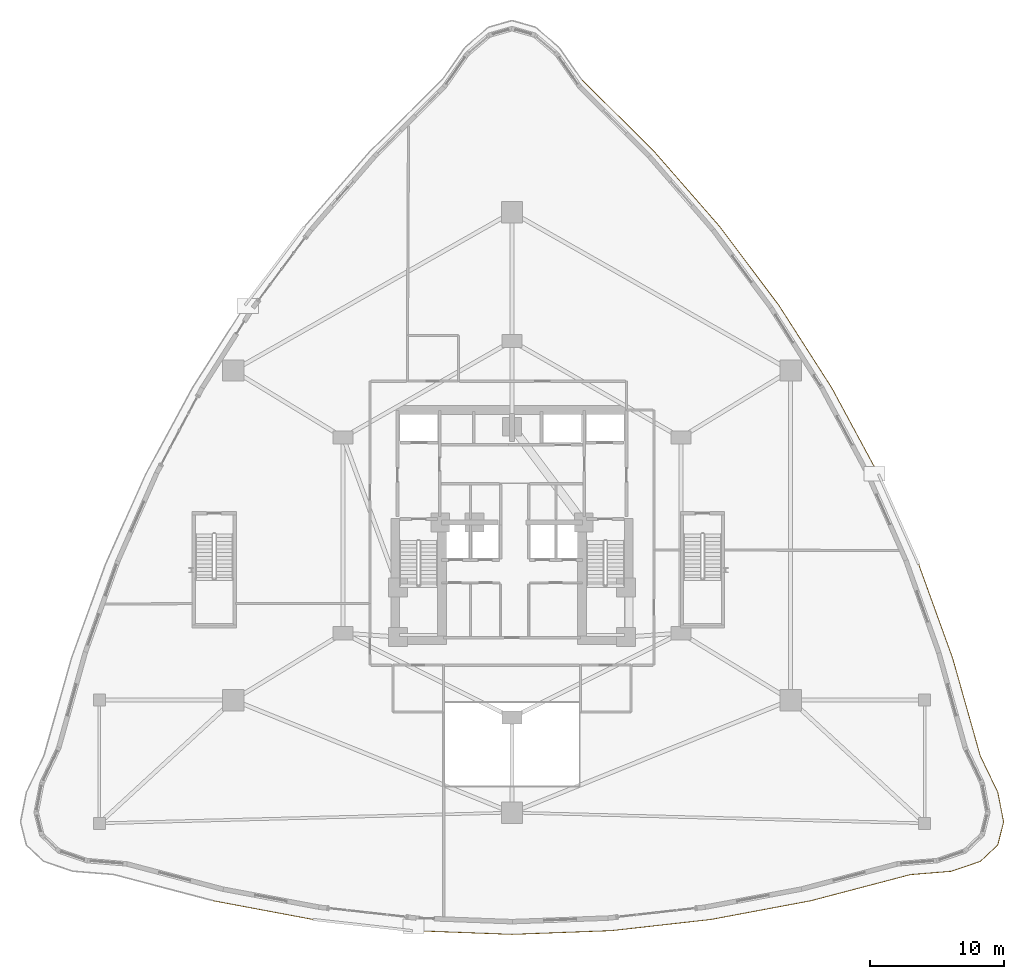
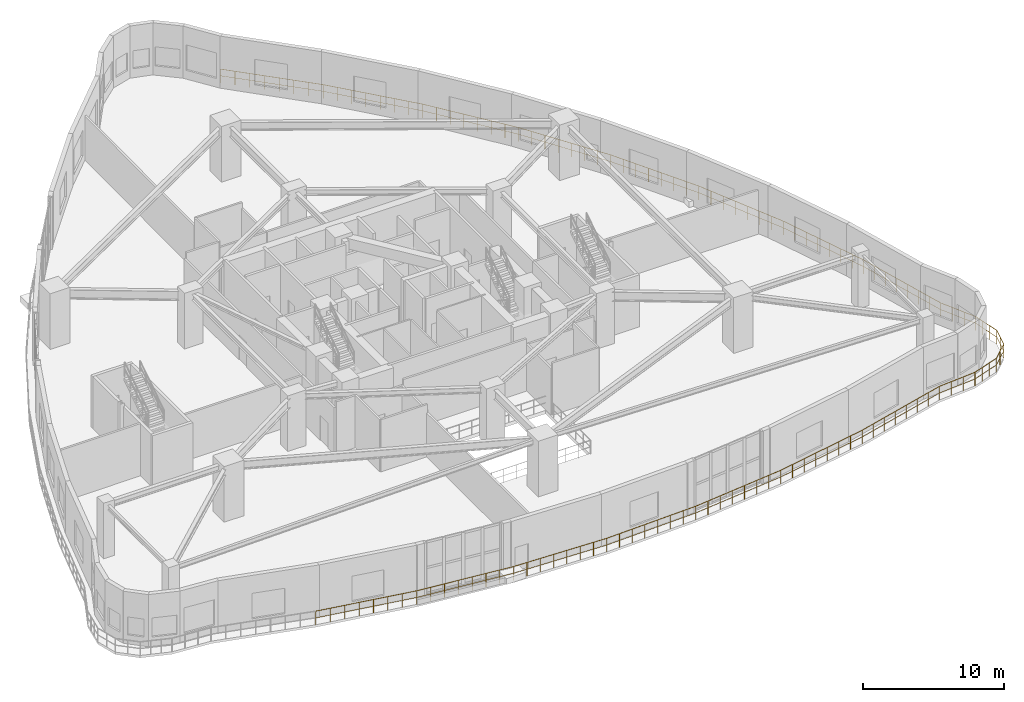
# One storey, part 22 of 25: 1 railing.
"""IFC4 building model written with IfcOpenShell, lengths in metres."""

import ifcopenshell
import ifcopenshell.guid

model = None  # the IFC model being written
_history = None  # IfcOwnerHistory: only IFC2X3 demands one
_inside = {}  # id of a spatial element -> (the spatial element, [elements in it])
_under = {}  # id of a project, library or spatial element -> (it, [spatial elements below it])
_declared = {}  # id of a project -> (the project, [libraries it declares])
_typed = {}  # id of a type object -> (the type object, [elements of that type])
_made_of = {}  # id of a material, layer set ... -> (it, [elements and type objects made of it])


def new_model(schema):
    """Start an empty IFC model of exactly this schema.

    Asked for "IFC4X3", IfcOpenShell would pick the latest addendum, in which some entities
    have other attributes; the version numbers below select the first issue.
    IFC2X3 requires an IfcOwnerHistory on every rooted entity: one is made here for all.
    """
    global model, _history
    if schema == "IFC4X3":
        model = ifcopenshell.file(schema_version=(4, 3, 0, 0))
    else:
        model = ifcopenshell.file(schema=schema)
    _inside.clear()
    _under.clear()
    _declared.clear()
    _typed.clear()
    _made_of.clear()
    _history = None
    if model.schema == "IFC2X3":
        org = make("IfcOrganization", Name="unknown")
        user = make(
            "IfcPersonAndOrganization",
            ThePerson=make("IfcPerson", FamilyName="unknown"),
            TheOrganization=org,
        )
        app = make(
            "IfcApplication",
            ApplicationDeveloper=org,
            Version="unknown",
            ApplicationFullName="unknown",
            ApplicationIdentifier="unknown",
        )
        _history = make(
            "IfcOwnerHistory",
            OwningUser=user,
            OwningApplication=app,
            ChangeAction="ADDED",
            CreationDate=0,
        )
    return model


def make(cls, **values):
    """One entity of the class cls with the attributes given. An attribute that is None is left unset."""
    return model.create_entity(
        cls, **{name: value for name, value in values.items() if value is not None}
    )


def rooted(cls, **values):
    """An entity with a GlobalId (a new one), such as an element, a storey or a relation."""
    return make(cls, GlobalId=ifcopenshell.guid.new(), OwnerHistory=_history, **values)


def si_unit(unit_type, name, prefix=None):
    """IfcSIUnit, for example si_unit("LENGTHUNIT", "METRE", prefix="MILLI")."""
    return make("IfcSIUnit", UnitType=unit_type, Prefix=prefix, Name=name)


def assignment(units):
    """IfcUnitAssignment: the units of a project."""
    return None if units is None else make("IfcUnitAssignment", Units=units)


def point(xyz):
    """IfcCartesianPoint."""
    return None if xyz is None else make("IfcCartesianPoint", Coordinates=xyz)


def direction(xyz):
    """IfcDirection."""
    return None if xyz is None else make("IfcDirection", DirectionRatios=xyz)


def frame(location, z_axis=None, x_axis=None):
    """IfcAxis2Placement3D, a coordinate frame: its origin and axes. An axis left out is left unset."""
    return make(
        "IfcAxis2Placement3D",
        Location=point(location),
        Axis=direction(z_axis),
        RefDirection=direction(x_axis),
    )


def frame_2d(location, x_axis=None):
    """IfcAxis2Placement2D, a coordinate frame in the plane: its origin and x axis."""
    return make(
        "IfcAxis2Placement2D", Location=point(location), RefDirection=direction(x_axis)
    )


def origin():
    """The frame at (0, 0, 0) with its axes left unset."""
    return frame((0.0, 0.0, 0.0))


def origin_2d():
    """The frame at (0, 0) in the plane with its x axis left unset."""
    return frame_2d((0.0, 0.0))


def place(relative_to, where):
    """IfcLocalPlacement: puts the frame where relative to a parent placement (None: the world)."""
    return make(
        "IfcLocalPlacement", PlacementRelTo=relative_to, RelativePlacement=where
    )


def context(
    kind, dimensions, precision=None, world=None, true_north=None, identifier=None
):
    """IfcGeometricRepresentationContext, for example the 3D "Model" context."""
    return make(
        "IfcGeometricRepresentationContext",
        ContextIdentifier=identifier,
        ContextType=kind,
        CoordinateSpaceDimension=dimensions,
        Precision=precision,
        WorldCoordinateSystem=world,
        TrueNorth=true_north,
    )


def subcontext(parent, identifier, kind, view, scale=None):
    """IfcGeometricRepresentationSubContext, for example "Body" below "Model"."""
    return make(
        "IfcGeometricRepresentationSubContext",
        ContextIdentifier=identifier,
        ContextType=kind,
        ParentContext=parent,
        TargetScale=scale,
        TargetView=view,
    )


def project(units=None, contexts=None):
    """IfcProject with its units and contexts."""
    return rooted(
        "IfcProject",
        Name="project",
        RepresentationContexts=contexts,
        UnitsInContext=assignment(units),
    )


def spatial(cls, under=None, at=None, **own):
    """A site, building, storey or space (cls), placed at a placement, below another one or the project."""
    s = rooted(cls, ObjectPlacement=at, **own)
    if under is not None:
        _under.setdefault(under.id(), (under, []))[1].append(s)
    return s


def profile(cls, at=None, kind="AREA", **sizes):
    """A parametric profile (cls). Its sizes go by their IFC names, for example OverallWidth=200.0."""
    return make(cls, ProfileType=kind, Position=at, **sizes)


def circle(**sizes):
    """IfcCircleProfileDef."""
    return profile("IfcCircleProfileDef", **sizes)


def extrude(swept, where, along, depth):
    """IfcExtrudedAreaSolid: the profile swept, set in the frame where, extruded along a direction by depth."""
    return make(
        "IfcExtrudedAreaSolid",
        SweptArea=swept,
        Position=where,
        ExtrudedDirection=direction(along),
        Depth=depth,
    )


def shape(context_of_items, identifier, shape_type, items):
    """IfcShapeRepresentation: the items that make up one representation, for example the "Body"."""
    return make(
        "IfcShapeRepresentation",
        ContextOfItems=context_of_items,
        RepresentationIdentifier=identifier,
        RepresentationType=shape_type,
        Items=items,
    )


def material(Name=None, Category=None):
    """IfcMaterial."""
    return make("IfcMaterial", Name=Name, Category=Category)


def made_of(thing, what):
    """Note that an element or type object is made of a material, layer set ...; save() writes the relation."""
    if what is not None:
        _made_of.setdefault(what.id(), (what, []))[1].append(thing)
    return thing


def type_object(cls, material=None, **own):
    """A type object (cls), such as IfcWallType, which elements share."""
    return made_of(rooted(cls, **own), material)


def element(
    cls,
    number,
    at=None,
    inside=None,
    cuts=None,
    type_object=None,
    material=None,
    context=None,
    identifier="Body",
    shape_type=None,
    held_by="IfcProductDefinitionShape",
    body=None,
    shapes=None,
    **own,
):
    """One element of the class cls, such as IfcWall. Its Tag is "e" and its number.

    at: its placement. inside: the storey or other place that contains it. cuts: it is an
    opening in that element (IfcRelVoidsElement). A single representation is given by context,
    identifier, shape_type and body (its items); several are given by shapes. held_by: the class
    of the entity that holds the representations. save() writes the other relations.
    """
    e = rooted(cls, Tag="e%d" % number, ObjectPlacement=at, **own)
    if body is not None:
        shapes = [shape(context, identifier, shape_type, body)]
    if shapes is not None:
        e.Representation = make(held_by, Representations=shapes)
    if inside is not None:
        _inside.setdefault(inside.id(), (inside, []))[1].append(e)
    if cuts is not None:
        rooted(
            "IfcRelVoidsElement", RelatingBuildingElement=cuts, RelatedOpeningElement=e
        )
    if type_object is not None:
        _typed.setdefault(type_object.id(), (type_object, []))[1].append(e)
    return made_of(e, material)


def aggregate(whole, parts):
    """IfcRelAggregates: a whole, such as a stair, and the parts it consists of."""
    return rooted("IfcRelAggregates", RelatingObject=whole, RelatedObjects=parts)


def save(model, path):
    """Write the relations noted so far, then the file.

    IfcRelAggregates (storeys below a building ...), IfcRelContainedInSpatialStructure (elements
    in a storey), IfcRelDefinesByType, IfcRelAssociatesMaterial and IfcRelDeclares: one each for
    every whole, place, type object, material and project.
    """
    for whole, parts in _under.values():
        aggregate(whole, parts)
    for where, things in _inside.values():
        rooted(
            "IfcRelContainedInSpatialStructure",
            RelatedElements=things,
            RelatingStructure=where,
        )
    for kind, things in _typed.values():
        rooted("IfcRelDefinesByType", RelatedObjects=things, RelatingType=kind)
    for what, things in _made_of.values():
        rooted("IfcRelAssociatesMaterial", RelatedObjects=things, RelatingMaterial=what)
    for by, libraries in _declared.values():
        rooted("IfcRelDeclares", RelatingContext=by, RelatedDefinitions=libraries)
    model.write(path)


model = new_model("IFC4")

# Units and contexts
model_context = context("Model", 3, precision=1e-05, world=origin(), true_north=direction((0.0, 1.0)))
body_context = subcontext(model_context, "Body", "Model", "MODEL_VIEW")
ifc_project = project(units=[si_unit("LENGTHUNIT", "METRE"), si_unit("AREAUNIT", "SQUARE_METRE"), si_unit("VOLUMEUNIT", "CUBIC_METRE"), si_unit("PLANEANGLEUNIT", "RADIAN"), si_unit("MASSUNIT", "GRAM", prefix="KILO")], contexts=[model_context])

# Site, building, storey
site_placement = place(None, origin())
site = spatial("IfcSite", under=ifc_project, at=site_placement, CompositionType="ELEMENT")
building_placement = place(site_placement, origin())
building = spatial("IfcBuilding", under=site, at=building_placement, Name="Miruveldt Soraemaru", CompositionType="ELEMENT")
storey_placement = place(building_placement, frame((0.0, 0.0, 4.800048828125)))
storey = spatial("IfcBuildingStorey", under=building, at=storey_placement, Name="L02", CompositionType="ELEMENT", Elevation=4.800048828125)

# Railing
ifc_material = material(Name="Anodised aluminium EN AW-6063 T6", Category="aluminium")
railing_type = type_object("IfcRailingType", Name="RAIL-GUARD-1200", PredefinedType="GUARDRAIL", material=ifc_material)
railing_placement = place(storey_placement, frame((21.697998046875, 15.8125, 0.0)))
element("IfcRailing", 1, at=railing_placement, inside=storey, type_object=railing_type, Name="L02 Planted Terrace Perimeter Guardrail (B)", PredefinedType="GUARDRAIL", context=body_context, shape_type="SweptSolid", body=[
    extrude(circle(Radius=0.02392578125, at=origin_2d()), frame((0.0, 0.0, 1.17578125), z_axis=(0.982874379353, -0.184276841764, 0.0), x_axis=(0.184276841764, 0.982874379353, 0.0)), (0.0, 0.0, 1.0), 7.563720703125),
    extrude(circle(Radius=0.01611328125, at=origin_2d()), frame((0.0, 0.0, 0.60009765625), z_axis=(0.982874379353, -0.184276841764, 0.0), x_axis=(0.184276841764, 0.982874379353, 0.0)), (0.0, 0.0, 1.0), 7.563720703125),
    extrude(circle(Radius=0.02392578125, at=origin_2d()), frame((7.43408203125, -1.393798828125, 1.17578125), z_axis=(0.993733174173, -0.111778256151, 0.0), x_axis=(0.111778256151, 0.993733174173, 0.0)), (0.0, 0.0, 1.0), 7.480712890625),
    extrude(circle(Radius=0.01611328125, at=origin_2d()), frame((7.43408203125, -1.393798828125, 0.60009765625), z_axis=(0.993733174173, -0.111778256151, 0.0), x_axis=(0.111778256151, 0.993733174173, 0.0)), (0.0, 0.0, 1.0), 7.480712890625),
    extrude(circle(Radius=0.02392578125, at=origin_2d()), frame((14.867919921875, -2.22998046875, 1.17578125), z_axis=(0.999297462084, -0.037477757034, 0.0), x_axis=(0.037477757034, 0.999297462084, 0.0)), (0.0, 0.0, 1.0), 7.439208984375),
    extrude(circle(Radius=0.01611328125, at=origin_2d()), frame((14.867919921875, -2.22998046875, 0.60009765625), z_axis=(0.999297462084, -0.037477757034, 0.0), x_axis=(0.037477757034, 0.999297462084, 0.0)), (0.0, 0.0, 1.0), 7.439208984375),
    extrude(circle(Radius=0.02392578125, at=origin_2d()), frame((22.302001953125, -2.5087890625, 1.17578125), z_axis=(0.999297462084, 0.037477757034, 0.0), x_axis=(-0.037477757034, 0.999297462084, 0.0)), (0.0, 0.0, 1.0), 7.439208984375),
    extrude(circle(Radius=0.01611328125, at=origin_2d()), frame((22.302001953125, -2.5087890625, 0.60009765625), z_axis=(0.999297462084, 0.037477757034, 0.0), x_axis=(-0.037477757034, 0.999297462084, 0.0)), (0.0, 0.0, 1.0), 7.439208984375),
    extrude(circle(Radius=0.02392578125, at=origin_2d()), frame((29.736083984375, -2.22998046875, 1.17578125), z_axis=(0.993733174173, 0.111778256151, 0.0), x_axis=(-0.111778256151, 0.993733174173, 0.0)), (0.0, 0.0, 1.0), 7.480712890625),
    extrude(circle(Radius=0.01611328125, at=origin_2d()), frame((29.736083984375, -2.22998046875, 0.60009765625), z_axis=(0.993733174173, 0.111778256151, 0.0), x_axis=(-0.111778256151, 0.993733174173, 0.0)), (0.0, 0.0, 1.0), 7.480712890625),
    extrude(circle(Radius=0.02392578125, at=origin_2d()), frame((37.169921875, -1.393798828125, 1.17578125), z_axis=(0.982874379353, 0.184276841764, 0.0), x_axis=(-0.184276841764, 0.982874379353, 0.0)), (0.0, 0.0, 1.0), 7.563720703125),
    extrude(circle(Radius=0.01611328125, at=origin_2d()), frame((37.169921875, -1.393798828125, 0.60009765625), z_axis=(0.982874379353, 0.184276841764, 0.0), x_axis=(-0.184276841764, 0.982874379353, 0.0)), (0.0, 0.0, 1.0), 7.563720703125),
    extrude(circle(Radius=0.02392578125, at=origin_2d()), frame((44.60400390625, 0.0, 1.17578125), z_axis=(0.967229892743, 0.253902214611, 0.0), x_axis=(-0.253902214611, 0.967229892743, 0.0)), (0.0, 0.0, 1.0), 7.685791015625),
    extrude(circle(Radius=0.01611328125, at=origin_2d()), frame((44.60400390625, 0.0, 0.60009765625), z_axis=(0.967229892743, 0.253902214611, 0.0), x_axis=(-0.253902214611, 0.967229892743, 0.0)), (0.0, 0.0, 1.0), 7.685791015625),
    extrude(circle(Radius=0.02392578125, at=origin_2d()), frame((52.037841796875, 1.951416015625, 1.17578125), z_axis=(0.996748663663, 0.080573578083, 0.0), x_axis=(-0.080573578083, 0.996748663663, 0.0)), (0.0, 0.0, 1.0), 3.057373046875),
    extrude(circle(Radius=0.01611328125, at=origin_2d()), frame((52.037841796875, 1.951416015625, 0.60009765625), z_axis=(0.996748663663, 0.080573578083, 0.0), x_axis=(-0.080573578083, 0.996748663663, 0.0)), (0.0, 0.0, 1.0), 3.057373046875),
    extrude(circle(Radius=0.02392578125, at=origin_2d()), frame((55.085205078125, 2.19775390625, 1.17578125), z_axis=(0.946905385305, 0.32151235012, 0.0), x_axis=(-0.32151235012, 0.946905385305, 0.0)), (0.0, 0.0, 1.0), 2.298583984375),
    extrude(circle(Radius=0.01611328125, at=origin_2d()), frame((55.085205078125, 2.19775390625, 0.60009765625), z_axis=(0.946905385305, 0.32151235012, 0.0), x_axis=(-0.32151235012, 0.946905385305, 0.0)), (0.0, 0.0, 1.0), 2.298583984375),
    extrude(circle(Radius=0.02392578125, at=origin_2d()), frame((57.26171875, 2.936767578125, 1.17578125), z_axis=(0.727544791222, 0.686060184507, 0.0), x_axis=(-0.686060184507, 0.727544791222, 0.0)), (0.0, 0.0, 1.0), 1.794921875),
    extrude(circle(Radius=0.01611328125, at=origin_2d()), frame((57.26171875, 2.936767578125, 0.60009765625), z_axis=(0.727544791222, 0.686060184507, 0.0), x_axis=(-0.686060184507, 0.727544791222, 0.0)), (0.0, 0.0, 1.0), 1.794921875),
    extrude(circle(Radius=0.02392578125, at=origin_2d()), frame((58.567626953125, 4.168212890625, 1.17578125), z_axis=(0.244796289149, 0.969574533916, 0.0), x_axis=(-0.969574533916, 0.244796289149, 0.0)), (0.0, 0.0, 1.0), 1.7783203125),
    extrude(circle(Radius=0.01611328125, at=origin_2d()), frame((58.567626953125, 4.168212890625, 0.60009765625), z_axis=(0.244796289149, 0.969574533916, 0.0), x_axis=(-0.969574533916, 0.244796289149, 0.0)), (0.0, 0.0, 1.0), 1.7783203125),
    extrude(circle(Radius=0.02392578125, at=origin_2d()), frame((59.0029296875, 5.892333984375, 1.17578125), z_axis=(-0.192685844525, 0.981260498196, 0.0), x_axis=(-0.981260498196, -0.192685844525, 0.0)), (0.0, 0.0, 1.0), 2.259033203125),
    extrude(circle(Radius=0.01611328125, at=origin_2d()), frame((59.0029296875, 5.892333984375, 0.60009765625), z_axis=(-0.192685844525, 0.981260498196, 0.0), x_axis=(-0.981260498196, -0.192685844525, 0.0)), (0.0, 0.0, 1.0), 2.259033203125),
    extrude(circle(Radius=0.02392578125, at=origin_2d()), frame((58.567626953125, 8.109130859375, 1.17578125), z_axis=(-0.434179222173, 0.900826511063, 0.0), x_axis=(-0.900826511063, -0.434179222173, 0.0)), (0.0, 0.0, 1.0), 3.0078125),
    extrude(circle(Radius=0.01611328125, at=origin_2d()), frame((58.567626953125, 8.109130859375, 0.60009765625), z_axis=(-0.434179222173, 0.900826511063, 0.0), x_axis=(-0.900826511063, -0.434179222173, 0.0)), (0.0, 0.0, 1.0), 3.0078125),
    extrude(circle(Radius=0.02392578125, at=origin_2d()), frame((57.26171875, 10.818603515625, 1.17578125), z_axis=(-0.272203038709, 0.962239837939, 0.0), x_axis=(-0.962239837939, -0.272203038709, 0.0)), (0.0, 0.0, 1.0), 7.57080078125),
    extrude(circle(Radius=0.01611328125, at=origin_2d()), frame((57.26171875, 10.818603515625, 0.60009765625), z_axis=(-0.272203038709, 0.962239837939, 0.0), x_axis=(-0.962239837939, -0.272203038709, 0.0)), (0.0, 0.0, 1.0), 7.57080078125),
    extrude(circle(Radius=0.02392578125, at=origin_2d()), frame((55.200927734375, 18.103515625, 1.17578125), z_axis=(-0.340113885454, 0.940384253867, 0.0), x_axis=(-0.940384253867, -0.340113885454, 0.0)), (0.0, 0.0, 1.0), 7.4501953125),
    extrude(circle(Radius=0.01611328125, at=origin_2d()), frame((55.200927734375, 18.103515625, 0.60009765625), z_axis=(-0.340113885454, 0.940384253867, 0.0), x_axis=(-0.940384253867, -0.340113885454, 0.0)), (0.0, 0.0, 1.0), 7.4501953125),
    extrude(circle(Radius=0.02392578125, at=origin_2d()), frame((52.6669921875, 25.109619140625, 1.17578125), z_axis=(-0.408098706283, 0.912937810549, 0.0), x_axis=(-0.912937810549, -0.408098706283, 0.0)), (0.0, 0.0, 1.0), 7.369140625),
    extrude(circle(Radius=0.01611328125, at=origin_2d()), frame((52.6669921875, 25.109619140625, 0.60009765625), z_axis=(-0.408098706283, 0.912937810549, 0.0), x_axis=(-0.912937810549, -0.408098706283, 0.0)), (0.0, 0.0, 1.0), 7.369140625),
    extrude(circle(Radius=0.02392578125, at=origin_2d()), frame((49.65966796875, 31.837158203125, 1.17578125), z_axis=(-0.47496782255, 0.880003163371, 0.0), x_axis=(-0.880003163371, -0.47496782255, 0.0)), (0.0, 0.0, 1.0), 7.327880859375),
    extrude(circle(Radius=0.01611328125, at=origin_2d()), frame((49.65966796875, 31.837158203125, 0.60009765625), z_axis=(-0.47496782255, 0.880003163371, 0.0), x_axis=(-0.880003163371, -0.47496782255, 0.0)), (0.0, 0.0, 1.0), 7.327880859375),
    extrude(circle(Radius=0.02392578125, at=origin_2d()), frame((46.17919921875, 38.28564453125, 1.17578125), z_axis=(-0.539500808327, 0.841985081705, 0.0), x_axis=(-0.841985081705, -0.539500808327, 0.0)), (0.0, 0.0, 1.0), 7.327880859375),
    extrude(circle(Radius=0.01611328125, at=origin_2d()), frame((46.17919921875, 38.28564453125, 0.60009765625), z_axis=(-0.539500808327, 0.841985081705, 0.0), x_axis=(-0.841985081705, -0.539500808327, 0.0)), (0.0, 0.0, 1.0), 7.327880859375),
    extrude(circle(Radius=0.02392578125, at=origin_2d()), frame((42.225830078125, 44.45556640625, 1.17578125), z_axis=(-0.600731281621, 0.799451016187, 0.0), x_axis=(-0.799451016187, -0.600731281621, 0.0)), (0.0, 0.0, 1.0), 7.368896484375),
    extrude(circle(Radius=0.01611328125, at=origin_2d()), frame((42.225830078125, 44.45556640625, 0.60009765625), z_axis=(-0.600731281621, 0.799451016187, 0.0), x_axis=(-0.799451016187, -0.600731281621, 0.0)), (0.0, 0.0, 1.0), 7.368896484375),
    extrude(circle(Radius=0.02392578125, at=origin_2d()), frame((37.799072265625, 50.3466796875, 1.17578125), z_axis=(-0.657696905506, 0.753282669711, 0.0), x_axis=(-0.753282669711, -0.657696905506, 0.0)), (0.0, 0.0, 1.0), 7.450439453125),
    extrude(circle(Radius=0.01611328125, at=origin_2d()), frame((37.799072265625, 50.3466796875, 0.60009765625), z_axis=(-0.657696905506, 0.753282669711, 0.0), x_axis=(-0.753282669711, -0.657696905506, 0.0)), (0.0, 0.0, 1.0), 7.450439453125),
    extrude(circle(Radius=0.02392578125, at=origin_2d()), frame((32.89892578125, 55.958984375, 1.17578125), z_axis=(-0.709700690294, 0.704503321636, 0.0), x_axis=(-0.704503321636, -0.709700690294, 0.0)), (0.0, 0.0, 1.0), 7.515869140625),
    extrude(circle(Radius=0.01611328125, at=origin_2d()), frame((32.89892578125, 55.958984375, 0.60009765625), z_axis=(-0.709700690294, 0.704503321636, 0.0), x_axis=(-0.704503321636, -0.709700690294, 0.0)), (0.0, 0.0, 1.0), 7.515869140625),
    extrude(circle(Radius=0.02099609375, at=origin_2d()), origin(), (0.0, 0.0, 1.0), 1.15185546875),
    extrude(circle(Radius=0.02099609375, at=origin_2d()), frame((1.06201171875, -0.19921875, 0.0)), (0.0, 0.0, 1.0), 1.15185546875),
    extrude(circle(Radius=0.02099609375, at=origin_2d()), frame((2.1240234375, -0.398193359375, 0.0)), (0.0, 0.0, 1.0), 1.15185546875),
    extrude(circle(Radius=0.02099609375, at=origin_2d()), frame((3.18603515625, -0.597412109375, 0.0)), (0.0, 0.0, 1.0), 1.15185546875),
    extrude(circle(Radius=0.02099609375, at=origin_2d()), frame((4.248046875, -0.79638671875, 0.0)), (0.0, 0.0, 1.0), 1.15185546875),
    extrude(circle(Radius=0.02099609375, at=origin_2d()), frame((5.31005859375, -0.99560546875, 0.0)), (0.0, 0.0, 1.0), 1.15185546875),
    extrude(circle(Radius=0.02099609375, at=origin_2d()), frame((6.3720703125, -1.194580078125, 0.0)), (0.0, 0.0, 1.0), 1.15185546875),
    extrude(circle(Radius=0.02099609375, at=origin_2d()), frame((7.43408203125, -1.393798828125, 0.0)), (0.0, 0.0, 1.0), 1.15185546875),
    extrude(circle(Radius=0.02099609375, at=origin_2d()), frame((8.49609375, -1.51318359375, 0.0)), (0.0, 0.0, 1.0), 1.15185546875),
    extrude(circle(Radius=0.02099609375, at=origin_2d()), frame((9.55810546875, -1.6328125, 0.0)), (0.0, 0.0, 1.0), 1.15185546875),
    extrude(circle(Radius=0.02099609375, at=origin_2d()), frame((10.6201171875, -1.752197265625, 0.0)), (0.0, 0.0, 1.0), 1.15185546875),
    extrude(circle(Radius=0.02099609375, at=origin_2d()), frame((11.681884765625, -1.87158203125, 0.0)), (0.0, 0.0, 1.0), 1.15185546875),
    extrude(circle(Radius=0.02099609375, at=origin_2d()), frame((12.743896484375, -1.990966796875, 0.0)), (0.0, 0.0, 1.0), 1.15185546875),
    extrude(circle(Radius=0.02099609375, at=origin_2d()), frame((13.805908203125, -2.110595703125, 0.0)), (0.0, 0.0, 1.0), 1.15185546875),
    extrude(circle(Radius=0.02099609375, at=origin_2d()), frame((14.867919921875, -2.22998046875, 0.0)), (0.0, 0.0, 1.0), 1.15185546875),
    extrude(circle(Radius=0.02099609375, at=origin_2d()), frame((15.929931640625, -2.269775390625, 0.0)), (0.0, 0.0, 1.0), 1.15185546875),
    extrude(circle(Radius=0.02099609375, at=origin_2d()), frame((16.991943359375, -2.3095703125, 0.0)), (0.0, 0.0, 1.0), 1.15185546875),
    extrude(circle(Radius=0.02099609375, at=origin_2d()), frame((18.053955078125, -2.349365234375, 0.0)), (0.0, 0.0, 1.0), 1.15185546875),
    extrude(circle(Radius=0.02099609375, at=origin_2d()), frame((19.115966796875, -2.389404296875, 0.0)), (0.0, 0.0, 1.0), 1.15185546875),
    extrude(circle(Radius=0.02099609375, at=origin_2d()), frame((20.177978515625, -2.42919921875, 0.0)), (0.0, 0.0, 1.0), 1.15185546875),
    extrude(circle(Radius=0.02099609375, at=origin_2d()), frame((21.239990234375, -2.468994140625, 0.0)), (0.0, 0.0, 1.0), 1.15185546875),
    extrude(circle(Radius=0.02099609375, at=origin_2d()), frame((22.302001953125, -2.5087890625, 0.0)), (0.0, 0.0, 1.0), 1.15185546875),
    extrude(circle(Radius=0.02099609375, at=origin_2d()), frame((23.364013671875, -2.468994140625, 0.0)), (0.0, 0.0, 1.0), 1.15185546875),
    extrude(circle(Radius=0.02099609375, at=origin_2d()), frame((24.426025390625, -2.42919921875, 0.0)), (0.0, 0.0, 1.0), 1.15185546875),
    extrude(circle(Radius=0.02099609375, at=origin_2d()), frame((25.488037109375, -2.389404296875, 0.0)), (0.0, 0.0, 1.0), 1.15185546875),
    extrude(circle(Radius=0.02099609375, at=origin_2d()), frame((26.550048828125, -2.349365234375, 0.0)), (0.0, 0.0, 1.0), 1.15185546875),
    extrude(circle(Radius=0.02099609375, at=origin_2d()), frame((27.612060546875, -2.3095703125, 0.0)), (0.0, 0.0, 1.0), 1.15185546875),
    extrude(circle(Radius=0.02099609375, at=origin_2d()), frame((28.674072265625, -2.269775390625, 0.0)), (0.0, 0.0, 1.0), 1.15185546875),
    extrude(circle(Radius=0.02099609375, at=origin_2d()), frame((29.736083984375, -2.22998046875, 0.0)), (0.0, 0.0, 1.0), 1.15185546875),
    extrude(circle(Radius=0.02099609375, at=origin_2d()), frame((30.798095703125, -2.110595703125, 0.0)), (0.0, 0.0, 1.0), 1.15185546875),
    extrude(circle(Radius=0.02099609375, at=origin_2d()), frame((31.860107421875, -1.990966796875, 0.0)), (0.0, 0.0, 1.0), 1.15185546875),
    extrude(circle(Radius=0.02099609375, at=origin_2d()), frame((32.922119140625, -1.87158203125, 0.0)), (0.0, 0.0, 1.0), 1.15185546875),
    extrude(circle(Radius=0.02099609375, at=origin_2d()), frame((33.98388671875, -1.752197265625, 0.0)), (0.0, 0.0, 1.0), 1.15185546875),
    extrude(circle(Radius=0.02099609375, at=origin_2d()), frame((35.0458984375, -1.6328125, 0.0)), (0.0, 0.0, 1.0), 1.15185546875),
    extrude(circle(Radius=0.02099609375, at=origin_2d()), frame((36.10791015625, -1.51318359375, 0.0)), (0.0, 0.0, 1.0), 1.15185546875),
    extrude(circle(Radius=0.02099609375, at=origin_2d()), frame((37.169921875, -1.393798828125, 0.0)), (0.0, 0.0, 1.0), 1.15185546875),
    extrude(circle(Radius=0.02099609375, at=origin_2d()), frame((38.23193359375, -1.194580078125, 0.0)), (0.0, 0.0, 1.0), 1.15185546875),
    extrude(circle(Radius=0.02099609375, at=origin_2d()), frame((39.2939453125, -0.99560546875, 0.0)), (0.0, 0.0, 1.0), 1.15185546875),
    extrude(circle(Radius=0.02099609375, at=origin_2d()), frame((40.35595703125, -0.79638671875, 0.0)), (0.0, 0.0, 1.0), 1.15185546875),
    extrude(circle(Radius=0.02099609375, at=origin_2d()), frame((41.41796875, -0.597412109375, 0.0)), (0.0, 0.0, 1.0), 1.15185546875),
    extrude(circle(Radius=0.02099609375, at=origin_2d()), frame((42.47998046875, -0.398193359375, 0.0)), (0.0, 0.0, 1.0), 1.15185546875),
    extrude(circle(Radius=0.02099609375, at=origin_2d()), frame((43.5419921875, -0.19921875, 0.0)), (0.0, 0.0, 1.0), 1.15185546875),
    extrude(circle(Radius=0.02099609375, at=origin_2d()), frame((44.60400390625, 0.0, 0.0)), (0.0, 0.0, 1.0), 1.15185546875),
    extrude(circle(Radius=0.02099609375, at=origin_2d()), frame((45.666015625, 0.27880859375, 0.0)), (0.0, 0.0, 1.0), 1.15185546875),
    extrude(circle(Radius=0.02099609375, at=origin_2d()), frame((46.72802734375, 0.5576171875, 0.0)), (0.0, 0.0, 1.0), 1.15185546875),
    extrude(circle(Radius=0.02099609375, at=origin_2d()), frame((47.7900390625, 0.83642578125, 0.0)), (0.0, 0.0, 1.0), 1.15185546875),
    extrude(circle(Radius=0.02099609375, at=origin_2d()), frame((48.851806640625, 1.114990234375, 0.0)), (0.0, 0.0, 1.0), 1.15185546875),
    extrude(circle(Radius=0.02099609375, at=origin_2d()), frame((49.913818359375, 1.393798828125, 0.0)), (0.0, 0.0, 1.0), 1.15185546875),
    extrude(circle(Radius=0.02099609375, at=origin_2d()), frame((50.975830078125, 1.672607421875, 0.0)), (0.0, 0.0, 1.0), 1.15185546875),
    extrude(circle(Radius=0.02099609375, at=origin_2d()), frame((52.037841796875, 1.951416015625, 0.0)), (0.0, 0.0, 1.0), 1.15185546875),
    extrude(circle(Radius=0.02099609375, at=origin_2d()), frame((53.0537109375, 2.033447265625, 0.0)), (0.0, 0.0, 1.0), 1.15185546875),
    extrude(circle(Radius=0.02099609375, at=origin_2d()), frame((54.0693359375, 2.11572265625, 0.0)), (0.0, 0.0, 1.0), 1.15185546875),
    extrude(circle(Radius=0.02099609375, at=origin_2d()), frame((55.085205078125, 2.19775390625, 0.0)), (0.0, 0.0, 1.0), 1.15185546875),
    extrude(circle(Radius=0.02099609375, at=origin_2d()), frame((55.810791015625, 2.444091796875, 0.0)), (0.0, 0.0, 1.0), 1.15185546875),
    extrude(circle(Radius=0.02099609375, at=origin_2d()), frame((56.5361328125, 2.6904296875, 0.0)), (0.0, 0.0, 1.0), 1.15185546875),
    extrude(circle(Radius=0.02099609375, at=origin_2d()), frame((57.26171875, 2.936767578125, 0.0)), (0.0, 0.0, 1.0), 1.15185546875),
    extrude(circle(Radius=0.02099609375, at=origin_2d()), frame((57.91455078125, 3.552490234375, 0.0)), (0.0, 0.0, 1.0), 1.15185546875),
    extrude(circle(Radius=0.02099609375, at=origin_2d()), frame((58.567626953125, 4.168212890625, 0.0)), (0.0, 0.0, 1.0), 1.15185546875),
    extrude(circle(Radius=0.02099609375, at=origin_2d()), frame((58.78515625, 5.0302734375, 0.0)), (0.0, 0.0, 1.0), 1.15185546875),
    extrude(circle(Radius=0.02099609375, at=origin_2d()), frame((59.0029296875, 5.892333984375, 0.0)), (0.0, 0.0, 1.0), 1.15185546875),
    extrude(circle(Radius=0.02099609375, at=origin_2d()), frame((58.85791015625, 6.63134765625, 0.0)), (0.0, 0.0, 1.0), 1.15185546875),
    extrude(circle(Radius=0.02099609375, at=origin_2d()), frame((58.712646484375, 7.3701171875, 0.0)), (0.0, 0.0, 1.0), 1.15185546875),
    extrude(circle(Radius=0.02099609375, at=origin_2d()), frame((58.567626953125, 8.109130859375, 0.0)), (0.0, 0.0, 1.0), 1.15185546875),
    extrude(circle(Radius=0.02099609375, at=origin_2d()), frame((58.13232421875, 9.01220703125, 0.0)), (0.0, 0.0, 1.0), 1.15185546875),
    extrude(circle(Radius=0.02099609375, at=origin_2d()), frame((57.697021484375, 9.91552734375, 0.0)), (0.0, 0.0, 1.0), 1.15185546875),
    extrude(circle(Radius=0.02099609375, at=origin_2d()), frame((57.26171875, 10.818603515625, 0.0)), (0.0, 0.0, 1.0), 1.15185546875),
    extrude(circle(Radius=0.02099609375, at=origin_2d()), frame((56.96728515625, 11.859375, 0.0)), (0.0, 0.0, 1.0), 1.15185546875),
    extrude(circle(Radius=0.02099609375, at=origin_2d()), frame((56.6728515625, 12.89990234375, 0.0)), (0.0, 0.0, 1.0), 1.15185546875),
    extrude(circle(Radius=0.02099609375, at=origin_2d()), frame((56.37841796875, 13.940673828125, 0.0)), (0.0, 0.0, 1.0), 1.15185546875),
    extrude(circle(Radius=0.02099609375, at=origin_2d()), frame((56.084228515625, 14.9814453125, 0.0)), (0.0, 0.0, 1.0), 1.15185546875),
    extrude(circle(Radius=0.02099609375, at=origin_2d()), frame((55.789794921875, 16.022216796875, 0.0)), (0.0, 0.0, 1.0), 1.15185546875),
    extrude(circle(Radius=0.02099609375, at=origin_2d()), frame((55.495361328125, 17.062744140625, 0.0)), (0.0, 0.0, 1.0), 1.15185546875),
    extrude(circle(Radius=0.02099609375, at=origin_2d()), frame((55.200927734375, 18.103515625, 0.0)), (0.0, 0.0, 1.0), 1.15185546875),
    extrude(circle(Radius=0.02099609375, at=origin_2d()), frame((54.8388671875, 19.1044921875, 0.0)), (0.0, 0.0, 1.0), 1.15185546875),
    extrude(circle(Radius=0.02099609375, at=origin_2d()), frame((54.47705078125, 20.105224609375, 0.0)), (0.0, 0.0, 1.0), 1.15185546875),
    extrude(circle(Radius=0.02099609375, at=origin_2d()), frame((54.114990234375, 21.106201171875, 0.0)), (0.0, 0.0, 1.0), 1.15185546875),
    extrude(circle(Radius=0.02099609375, at=origin_2d()), frame((53.7529296875, 22.10693359375, 0.0)), (0.0, 0.0, 1.0), 1.15185546875),
    extrude(circle(Radius=0.02099609375, at=origin_2d()), frame((53.390869140625, 23.10791015625, 0.0)), (0.0, 0.0, 1.0), 1.15185546875),
    extrude(circle(Radius=0.02099609375, at=origin_2d()), frame((53.029052734375, 24.108642578125, 0.0)), (0.0, 0.0, 1.0), 1.15185546875),
    extrude(circle(Radius=0.02099609375, at=origin_2d()), frame((52.6669921875, 25.109619140625, 0.0)), (0.0, 0.0, 1.0), 1.15185546875),
    extrude(circle(Radius=0.02099609375, at=origin_2d()), frame((52.2373046875, 26.07080078125, 0.0)), (0.0, 0.0, 1.0), 1.15185546875),
    extrude(circle(Radius=0.02099609375, at=origin_2d()), frame((51.807861328125, 27.03173828125, 0.0)), (0.0, 0.0, 1.0), 1.15185546875),
    extrude(circle(Radius=0.02099609375, at=origin_2d()), frame((51.378173828125, 27.992919921875, 0.0)), (0.0, 0.0, 1.0), 1.15185546875),
    extrude(circle(Radius=0.02099609375, at=origin_2d()), frame((50.948486328125, 28.953857421875, 0.0)), (0.0, 0.0, 1.0), 1.15185546875),
    extrude(circle(Radius=0.02099609375, at=origin_2d()), frame((50.518798828125, 29.9150390625, 0.0)), (0.0, 0.0, 1.0), 1.15185546875),
    extrude(circle(Radius=0.02099609375, at=origin_2d()), frame((50.08935546875, 30.8759765625, 0.0)), (0.0, 0.0, 1.0), 1.15185546875),
    extrude(circle(Radius=0.02099609375, at=origin_2d()), frame((49.65966796875, 31.837158203125, 0.0)), (0.0, 0.0, 1.0), 1.15185546875),
    extrude(circle(Radius=0.02099609375, at=origin_2d()), frame((49.162353515625, 32.75830078125, 0.0)), (0.0, 0.0, 1.0), 1.15185546875),
    extrude(circle(Radius=0.02099609375, at=origin_2d()), frame((48.665283203125, 33.6796875, 0.0)), (0.0, 0.0, 1.0), 1.15185546875),
    extrude(circle(Radius=0.02099609375, at=origin_2d()), frame((48.16796875, 34.600830078125, 0.0)), (0.0, 0.0, 1.0), 1.15185546875),
    extrude(circle(Radius=0.02099609375, at=origin_2d()), frame((47.6708984375, 35.52197265625, 0.0)), (0.0, 0.0, 1.0), 1.15185546875),
    extrude(circle(Radius=0.02099609375, at=origin_2d()), frame((47.173583984375, 36.443115234375, 0.0)), (0.0, 0.0, 1.0), 1.15185546875),
    extrude(circle(Radius=0.02099609375, at=origin_2d()), frame((46.676513671875, 37.364501953125, 0.0)), (0.0, 0.0, 1.0), 1.15185546875),
    extrude(circle(Radius=0.02099609375, at=origin_2d()), frame((46.17919921875, 38.28564453125, 0.0)), (0.0, 0.0, 1.0), 1.15185546875),
    extrude(circle(Radius=0.02099609375, at=origin_2d()), frame((45.614501953125, 39.1669921875, 0.0)), (0.0, 0.0, 1.0), 1.15185546875),
    extrude(circle(Radius=0.02099609375, at=origin_2d()), frame((45.049560546875, 40.048583984375, 0.0)), (0.0, 0.0, 1.0), 1.15185546875),
    extrude(circle(Radius=0.02099609375, at=origin_2d()), frame((44.48486328125, 40.929931640625, 0.0)), (0.0, 0.0, 1.0), 1.15185546875),
    extrude(circle(Radius=0.02099609375, at=origin_2d()), frame((43.920166015625, 41.811279296875, 0.0)), (0.0, 0.0, 1.0), 1.15185546875),
    extrude(circle(Radius=0.02099609375, at=origin_2d()), frame((43.35546875, 42.692626953125, 0.0)), (0.0, 0.0, 1.0), 1.15185546875),
    extrude(circle(Radius=0.02099609375, at=origin_2d()), frame((42.79052734375, 43.57421875, 0.0)), (0.0, 0.0, 1.0), 1.15185546875),
    extrude(circle(Radius=0.02099609375, at=origin_2d()), frame((42.225830078125, 44.45556640625, 0.0)), (0.0, 0.0, 1.0), 1.15185546875),
    extrude(circle(Radius=0.02099609375, at=origin_2d()), frame((41.593505859375, 45.297119140625, 0.0)), (0.0, 0.0, 1.0), 1.15185546875),
    extrude(circle(Radius=0.02099609375, at=origin_2d()), frame((40.9609375, 46.138671875, 0.0)), (0.0, 0.0, 1.0), 1.15185546875),
    extrude(circle(Radius=0.02099609375, at=origin_2d()), frame((40.32861328125, 46.980224609375, 0.0)), (0.0, 0.0, 1.0), 1.15185546875),
    extrude(circle(Radius=0.02099609375, at=origin_2d()), frame((39.6962890625, 47.822021484375, 0.0)), (0.0, 0.0, 1.0), 1.15185546875),
    extrude(circle(Radius=0.02099609375, at=origin_2d()), frame((39.06396484375, 48.66357421875, 0.0)), (0.0, 0.0, 1.0), 1.15185546875),
    extrude(circle(Radius=0.02099609375, at=origin_2d()), frame((38.431396484375, 49.505126953125, 0.0)), (0.0, 0.0, 1.0), 1.15185546875),
    extrude(circle(Radius=0.02099609375, at=origin_2d()), frame((37.799072265625, 50.3466796875, 0.0)), (0.0, 0.0, 1.0), 1.15185546875),
    extrude(circle(Radius=0.02099609375, at=origin_2d()), frame((37.09912109375, 51.1484375, 0.0)), (0.0, 0.0, 1.0), 1.15185546875),
    extrude(circle(Radius=0.02099609375, at=origin_2d()), frame((36.39892578125, 51.9501953125, 0.0)), (0.0, 0.0, 1.0), 1.15185546875),
    extrude(circle(Radius=0.02099609375, at=origin_2d()), frame((35.698974609375, 52.751953125, 0.0)), (0.0, 0.0, 1.0), 1.15185546875),
    extrude(circle(Radius=0.02099609375, at=origin_2d()), frame((34.9990234375, 53.5537109375, 0.0)), (0.0, 0.0, 1.0), 1.15185546875),
    extrude(circle(Radius=0.02099609375, at=origin_2d()), frame((34.299072265625, 54.35546875, 0.0)), (0.0, 0.0, 1.0), 1.15185546875),
    extrude(circle(Radius=0.02099609375, at=origin_2d()), frame((33.598876953125, 55.1572265625, 0.0)), (0.0, 0.0, 1.0), 1.15185546875),
    extrude(circle(Radius=0.02099609375, at=origin_2d()), frame((32.89892578125, 55.958984375, 0.0)), (0.0, 0.0, 1.0), 1.15185546875),
    extrude(circle(Radius=0.02099609375, at=origin_2d()), frame((32.136962890625, 56.71533203125, 0.0)), (0.0, 0.0, 1.0), 1.15185546875),
    extrude(circle(Radius=0.02099609375, at=origin_2d()), frame((31.375, 57.471923828125, 0.0)), (0.0, 0.0, 1.0), 1.15185546875),
    extrude(circle(Radius=0.02099609375, at=origin_2d()), frame((30.613037109375, 58.228271484375, 0.0)), (0.0, 0.0, 1.0), 1.15185546875),
    extrude(circle(Radius=0.02099609375, at=origin_2d()), frame((29.850830078125, 58.984619140625, 0.0)), (0.0, 0.0, 1.0), 1.15185546875),
    extrude(circle(Radius=0.02099609375, at=origin_2d()), frame((29.0888671875, 59.740966796875, 0.0)), (0.0, 0.0, 1.0), 1.15185546875),
    extrude(circle(Radius=0.02099609375, at=origin_2d()), frame((28.326904296875, 60.49755859375, 0.0)), (0.0, 0.0, 1.0), 1.15185546875),
    extrude(circle(Radius=0.02099609375, at=origin_2d()), frame((27.56494140625, 61.25390625, 0.0)), (0.0, 0.0, 1.0), 1.15185546875),
])

save(model, "model.ifc")
